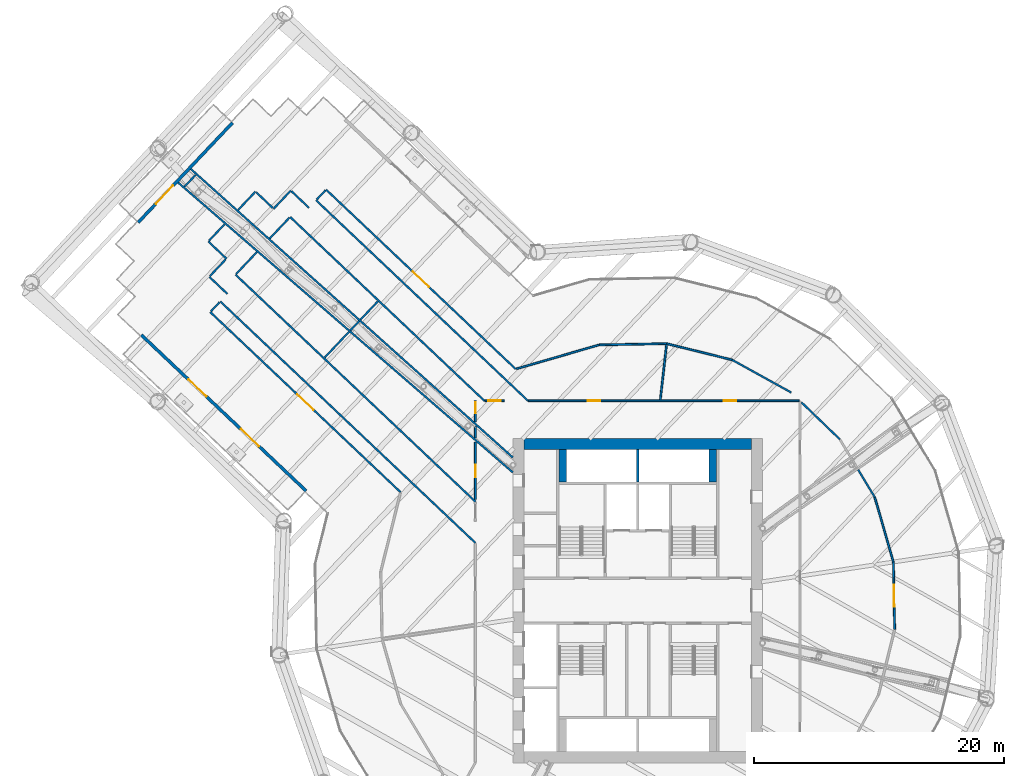
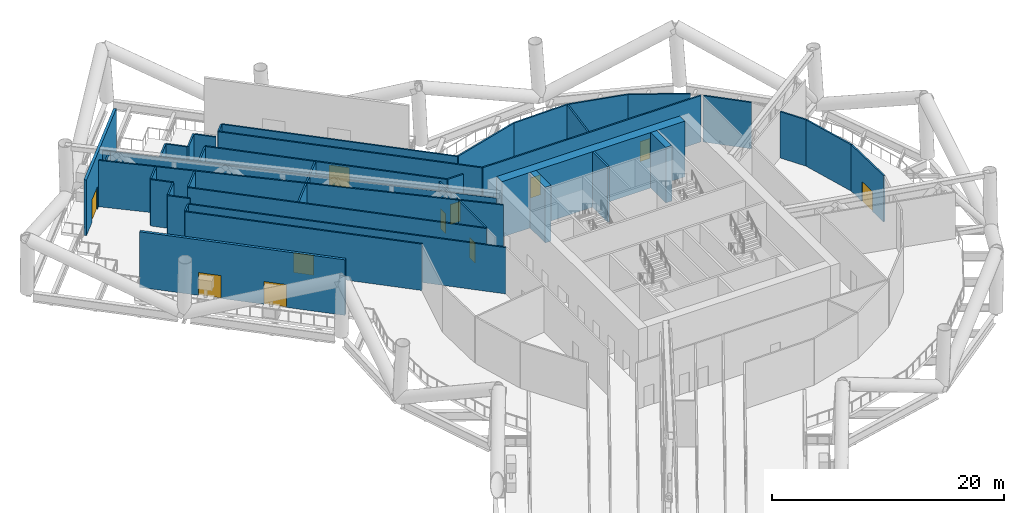
# One storey, part 16 of 39: 44 walls, 11 doors, 11 openings.
"""IFC4 building model written with IfcOpenShell, lengths in metres."""

from ifc_helpers import new_model, si_unit, direction, frame, frame_2d, origin, place, context, subcontext, project, spatial, rectangle, extrude, material, layer, layer_set, type_object, element, fill, save


model = new_model("IFC4")

# Units and contexts
model_context = context("Model", 3, precision=1e-05, world=origin(), true_north=direction((0.0, 1.0)))
body_context = subcontext(model_context, "Body", "Model", "MODEL_VIEW")
ifc_project = project(units=[si_unit("LENGTHUNIT", "METRE"), si_unit("AREAUNIT", "SQUARE_METRE"), si_unit("VOLUMEUNIT", "CUBIC_METRE"), si_unit("PLANEANGLEUNIT", "RADIAN"), si_unit("MASSUNIT", "GRAM", prefix="KILO")], contexts=[model_context])

# Site, building, storey
site_placement = place(None, origin())
site = spatial("IfcSite", under=ifc_project, at=site_placement, CompositionType="ELEMENT")
building_placement = place(site_placement, origin())
building = spatial("IfcBuilding", under=site, at=building_placement, Name="Tarsis Ring Headquarters", CompositionType="ELEMENT")
storey_placement = place(building_placement, frame((0.0, 0.0, 86.800048828125)))
storey = spatial("IfcBuildingStorey", under=building, at=storey_placement, Name="L19", CompositionType="ELEMENT", Elevation=86.800048828125)

# Walls
ifc_material_1 = material(Name="Concrete C60/75", Category="concrete")
ifc_layer_1 = layer(ifc_material_1, 0.89990234375)
ifc_layer_set_1 = layer_set([ifc_layer_1], Name="Core wall 900 C60/75")
wall_type_1 = type_object("IfcWallType", Name="Core wall 900 C60/75", PredefinedType="SHEAR", material=ifc_layer_set_1)
wall_1_placement = place(storey_placement, frame((-9.10009765625, 12.550048828125, 0.0), z_axis=(0.0, 0.0, 1.0), x_axis=(1.0, 0.0, 0.0)))
element("IfcWall", 1, at=wall_1_placement, inside=storey, type_object=wall_type_1, Name="Core wall ON", PredefinedType="SHEAR", context=body_context, shape_type="SweptSolid", body=[
    extrude(rectangle(XDim=18.2001953125, YDim=0.89990234375, at=frame_2d((9.10009765625, 0.0))), origin(), (0.0, 0.0, 1.0), 5.83984375),
])
ifc_material_2 = material(Name="Gypsum board on steel studs", Category="steel")
ifc_layer_2 = layer(ifc_material_2, 0.14990234375)
ifc_layer_set_2 = layer_set([ifc_layer_2], Name="FL partition 150 EI 120 H4870")
wall_type_2 = type_object("IfcWallType", Name="FL partition 150 EI 120 H4870", PredefinedType="PARTITIONING", material=ifc_layer_set_2)
wall_2_placement = place(storey_placement, frame((-36.961181640625, 33.61328125, 0.0), z_axis=(0.0, 0.0, 1.0), x_axis=(0.755896577688, -0.654691044569, 0.0)))
element("IfcWall", 2, at=wall_2_placement, inside=storey, type_object=wall_type_2, Name="Partition PW2H487", PredefinedType="PARTITIONING", context=body_context, shape_type="SweptSolid", body=[
    extrude(rectangle(XDim=35.671142578125, YDim=0.14990234375, at=frame_2d((17.83544921875, 0.0))), origin(), (0.0, 0.0, 1.0), 4.869873046875),
])
wall_3_placement = place(storey_placement, frame((-35.9384765625, 34.69384765625, 0.0), z_axis=(0.0, 0.0, 1.0), x_axis=(0.744817987278, -0.667267686785, 0.0)))
element("IfcWall", 3, at=wall_3_placement, inside=storey, type_object=wall_type_2, Name="Partition PW2H487", PredefinedType="PARTITIONING", context=body_context, shape_type="SweptSolid", body=[
    extrude(rectangle(XDim=34.824951171875, YDim=0.14990234375, at=frame_2d((17.41259765625, 0.0))), origin(), (0.0, 0.0, 1.0), 4.869873046875),
])
wall_4_placement = place(storey_placement, frame((-33.43359375, 23.956298828125, 0.0), z_axis=(0.0, 0.0, 1.0), x_axis=(0.726333629378, -0.687342315614, 0.0)))
element("IfcWall", 4, at=wall_4_placement, inside=storey, type_object=wall_type_2, Name="Partition PW2H487", PredefinedType="PARTITIONING", context=body_context, shape_type="SweptSolid", body=[
    extrude(rectangle(XDim=28.132568359375, YDim=0.14990234375, at=frame_2d((14.06640625, 0.0))), origin(), (0.0, 0.0, 1.0), 4.869873046875),
])
wall_5_placement = place(storey_placement, frame((-32.2109375, 26.103515625, 0.0), z_axis=(0.0, 0.0, 1.0), x_axis=(0.726337506456, -0.687338218576, 0.0)))
element("IfcWall", 5, at=wall_5_placement, inside=storey, type_object=wall_type_2, Name="Partition PW2H487", PredefinedType="PARTITIONING", context=body_context, shape_type="SweptSolid", body=[
    extrude(rectangle(XDim=26.448974609375, YDim=0.14990234375, at=frame_2d((13.224609375, 0.0))), origin(), (0.0, 0.0, 1.0), 4.869873046875),
])
wall_6_placement = place(storey_placement, frame((-25.7626953125, 32.06201171875, 0.0), z_axis=(0.0, 0.0, 1.0), x_axis=(0.726333076362, -0.687342900001, 0.0)))
element("IfcWall", 6, at=wall_6_placement, inside=storey, type_object=wall_type_2, Name="Partition PW2H487", PredefinedType="PARTITIONING", context=body_context, shape_type="SweptSolid", body=[
    extrude(rectangle(XDim=23.3681640625, YDim=0.14990234375, at=frame_2d((11.68408203125, 0.0))), origin(), (0.0, 0.0, 1.0), 4.869873046875),
])

# Wall, openings, doors
wall_7_placement = place(storey_placement, frame((-8.74951171875, 16.0, 0.0), z_axis=(0.0, 0.0, 1.0), x_axis=(1.0, 0.0, 0.0)))
wall_7 = element("IfcWall", 7, at=wall_7_placement, inside=storey, type_object=wall_type_2, Name="Partition PW2H487", PredefinedType="PARTITIONING", context=body_context, shape_type="SweptSolid", body=[
    extrude(rectangle(XDim=21.67822265625, YDim=0.14990234375, at=frame_2d((10.839111328125, 0.0))), origin(), (0.0, 0.0, 1.0), 4.869873046875),
])
opening_1_placement = place(wall_7_placement, frame((4.7548828125, 0.0, 0.0)))
opening_1 = element("IfcOpeningElement", 8, at=opening_1_placement, cuts=wall_7, Name="Opening D19.01", PredefinedType="OPENING", context=body_context, shape_type="SweptSolid", body=[
    extrude(rectangle(XDim=1.0, YDim=2.10009765625, at=frame_2d((0.5, 1.050048828125))), frame((0.0, 0.0849609375, 0.0), z_axis=(0.0, -1.0, 0.0), x_axis=(1.0, 0.0, 0.0)), (0.0, 0.0, 1.0), 0.169921875),
])
opening_2_placement = place(wall_7_placement, frame((15.638916015625, 0.0, 0.0)))
opening_2 = element("IfcOpeningElement", 9, at=opening_2_placement, cuts=wall_7, Name="Opening D19.02", PredefinedType="OPENING", context=body_context, shape_type="SweptSolid", body=[
    extrude(rectangle(XDim=1.0, YDim=2.10009765625, at=frame_2d((0.5, 1.050048828125))), frame((0.0, 0.0849609375, 0.0), z_axis=(0.0, -1.0, 0.0), x_axis=(1.0, 0.0, 0.0)), (0.0, 0.0, 1.0), 0.169921875),
])
ifc_material_3 = material(Name="Fire-rated timber door leaf in steel frame", Category="steel")
door_type_1 = type_object("IfcDoorType", Name="FL door FD120-1000", OperationType="NOTDEFINED", PredefinedType="DOOR", material=ifc_material_3)
door_1_placement = place(opening_1_placement, origin())
door_1 = element("IfcDoor", 10, at=door_1_placement, inside=storey, type_object=door_type_1, Name="Door D19.01", OperationType="SINGLE_SWING_RIGHT", OverallHeight=2.10009765625, OverallWidth=1.0, PredefinedType="DOOR", context=body_context, shape_type="SweptSolid", body=[
    extrude(rectangle(XDim=1.0, YDim=2.10009765625, at=frame_2d((0.5, 1.050048828125))), frame((0.0, 0.02490234375, 0.0), z_axis=(0.0, -1.0, 0.0), x_axis=(1.0, 0.0, 0.0)), (0.0, 0.0, 1.0), 0.050048828125),
])
fill(opening_1, door_1)
door_2_placement = place(opening_2_placement, origin())
door_2 = element("IfcDoor", 11, at=door_2_placement, inside=storey, type_object=door_type_1, Name="Door D19.02", OperationType="SINGLE_SWING_LEFT", OverallHeight=2.10009765625, OverallWidth=1.0, PredefinedType="DOOR", context=body_context, shape_type="SweptSolid", body=[
    extrude(rectangle(XDim=1.0, YDim=2.10009765625, at=frame_2d((0.5, 1.050048828125))), frame((0.0, 0.02490234375, 0.0), z_axis=(0.0, -1.0, 0.0), x_axis=(1.0, 0.0, 0.0)), (0.0, 0.0, 1.0), 0.050048828125),
])
fill(opening_2, door_2)

# Wall
wall_8_placement = place(storey_placement, frame((-27.83935546875, 30.722900390625, 0.0), z_axis=(0.0, 0.0, 1.0), x_axis=(0.726333840001, -0.687342093043, 0.0)))
element("IfcWall", 12, at=wall_8_placement, inside=storey, type_object=wall_type_2, Name="Partition PW2H487", PredefinedType="PARTITIONING", context=body_context, shape_type="SweptSolid", body=[
    extrude(rectangle(XDim=21.420166015625, YDim=0.14990234375, at=frame_2d((10.7099609375, 0.0))), origin(), (0.0, 0.0, 1.0), 4.869873046875),
])

# Wall, opening, door
wall_9_placement = place(storey_placement, frame((-34.23779296875, 23.1064453125, 0.0), z_axis=(0.0, 0.0, 1.0), x_axis=(0.726337792573, -0.687337916224, 0.0)))
wall_9 = element("IfcWall", 13, at=wall_9_placement, inside=storey, type_object=wall_type_2, Name="Partition PW2H487", PredefinedType="PARTITIONING", context=body_context, shape_type="SweptSolid", body=[
    extrude(rectangle(XDim=20.983642578125, YDim=0.14990234375, at=frame_2d((10.49169921875, 0.0))), origin(), (0.0, 0.0, 1.0), 4.869873046875),
])
opening_3_placement = place(wall_9_placement, frame((9.591552734375, 0.0, 0.0)))
opening_3 = element("IfcOpeningElement", 14, at=opening_3_placement, cuts=wall_9, Name="Opening D19.20", PredefinedType="OPENING", context=body_context, shape_type="SweptSolid", body=[
    extrude(rectangle(XDim=1.800048828125, YDim=2.10009765625, at=frame_2d((0.89990234375, 1.050048828125))), frame((0.0, 0.0849609375, 0.0), z_axis=(0.0, -1.0, 0.0), x_axis=(1.0, 0.0, 0.0)), (0.0, 0.0, 1.0), 0.169921875),
])
door_type_2 = type_object("IfcDoorType", Name="FL door FD120-1800", OperationType="DOUBLE_DOOR_SINGLE_SWING", PredefinedType="DOOR", material=ifc_material_3)
door_3_placement = place(opening_3_placement, origin())
door_3 = element("IfcDoor", 15, at=door_3_placement, inside=storey, type_object=door_type_2, Name="Door D19.20", OperationType="DOUBLE_DOOR_SINGLE_SWING", OverallHeight=2.10009765625, OverallWidth=1.800048828125, PredefinedType="DOOR", context=body_context, shape_type="SweptSolid", body=[
    extrude(rectangle(XDim=1.800048828125, YDim=2.10009765625, at=frame_2d((0.89990234375, 1.050048828125))), frame((0.0, 0.02490234375, 0.0), z_axis=(0.0, -1.0, 0.0), x_axis=(1.0, 0.0, 0.0)), (0.0, 0.0, 1.0), 0.050048828125),
])
fill(opening_3, door_3)

wall_10_placement = place(storey_placement, frame((-24.95849609375, 32.911865234375, 0.0), z_axis=(0.0, 0.0, 1.0), x_axis=(0.726332551962, -0.687343454148, 0.0)))
wall_10 = element("IfcWall", 16, at=wall_10_placement, inside=storey, type_object=wall_type_2, Name="Partition PW2H487", PredefinedType="PARTITIONING", context=body_context, shape_type="SweptSolid", body=[
    extrude(rectangle(XDim=20.90185546875, YDim=0.14990234375, at=frame_2d((10.450927734375, 0.0))), origin(), (0.0, 0.0, 1.0), 4.869873046875),
])
opening_4_placement = place(wall_10_placement, frame((9.55078125, 0.0, 0.0)))
opening_4 = element("IfcOpeningElement", 17, at=opening_4_placement, cuts=wall_10, Name="Opening D19.19", PredefinedType="OPENING", context=body_context, shape_type="SweptSolid", body=[
    extrude(rectangle(XDim=1.800048828125, YDim=2.10009765625, at=frame_2d((0.89990234375, 1.050048828125))), frame((0.0, 0.0849609375, 0.0), z_axis=(0.0, -1.0, 0.0), x_axis=(1.0, 0.0, 0.0)), (0.0, 0.0, 1.0), 0.169921875),
])
door_4_placement = place(opening_4_placement, origin())
door_4 = element("IfcDoor", 18, at=door_4_placement, inside=storey, type_object=door_type_2, Name="Door D19.19", OperationType="DOUBLE_DOOR_SINGLE_SWING", OverallHeight=2.10009765625, OverallWidth=1.800048828125, PredefinedType="DOOR", context=body_context, shape_type="SweptSolid", body=[
    extrude(rectangle(XDim=1.800048828125, YDim=2.10009765625, at=frame_2d((0.89990234375, 1.050048828125))), frame((0.0, 0.02490234375, 0.0), z_axis=(0.0, -1.0, 0.0), x_axis=(1.0, 0.0, 0.0)), (0.0, 0.0, 1.0), 0.050048828125),
])
fill(opening_4, door_4)

wall_11_placement = place(storey_placement, frame((-13.0, 8.09814453125, 0.0), z_axis=(0.0, 0.0, 1.0), x_axis=(0.0, 1.0, 0.0)))
wall_11 = element("IfcWall", 19, at=wall_11_placement, inside=storey, type_object=wall_type_2, Name="Partition PW2H487", PredefinedType="PARTITIONING", context=body_context, shape_type="SweptSolid", body=[
    extrude(rectangle(XDim=4.597900390625, YDim=0.14990234375, at=frame_2d((2.298828125, 0.0))), origin(), (0.0, 0.0, 1.0), 4.869873046875),
])
opening_5_placement = place(wall_11_placement, frame((1.79150390625, 0.0, 0.0)))
opening_5 = element("IfcOpeningElement", 20, at=opening_5_placement, cuts=wall_11, Name="Opening D19.04", PredefinedType="OPENING", context=body_context, shape_type="SweptSolid", body=[
    extrude(rectangle(XDim=1.0, YDim=2.10009765625, at=frame_2d((0.5, 1.050048828125))), frame((0.0, 0.0849609375, 0.0), z_axis=(0.0, -1.0, 0.0), x_axis=(1.0, 0.0, 0.0)), (0.0, 0.0, 1.0), 0.169921875),
])
door_5_placement = place(opening_5_placement, origin())
door_5 = element("IfcDoor", 21, at=door_5_placement, inside=storey, type_object=door_type_1, Name="Door D19.04", OperationType="SINGLE_SWING_LEFT", OverallHeight=2.10009765625, OverallWidth=1.0, PredefinedType="DOOR", context=body_context, shape_type="SweptSolid", body=[
    extrude(rectangle(XDim=1.0, YDim=2.10009765625, at=frame_2d((0.5, 1.050048828125))), frame((0.0, 0.02490234375, 0.0), z_axis=(0.0, -1.0, 0.0), x_axis=(1.0, 0.0, 0.0)), (0.0, 0.0, 1.0), 0.050048828125),
])
fill(opening_5, door_5)

# Wall
wall_12_placement = place(storey_placement, frame((-13.0, 13.0244140625, 0.0), z_axis=(0.0, 0.0, 1.0), x_axis=(0.0, 1.0, 0.0)))
element("IfcWall", 22, at=wall_12_placement, inside=storey, type_object=wall_type_2, Name="Partition PW2H487", PredefinedType="PARTITIONING", context=body_context, shape_type="SweptSolid", body=[
    extrude(rectangle(XDim=0.951416015625, YDim=0.14990234375, at=frame_2d((0.4755859375, 0.0))), origin(), (0.0, 0.0, 1.0), 4.869873046875),
])

# Wall, opening, door
wall_13_placement = place(storey_placement, frame((-13.0, 14.3115234375, 0.0), z_axis=(0.0, 0.0, 1.0), x_axis=(0.0, 1.0, 0.0)))
wall_13 = element("IfcWall", 23, at=wall_13_placement, inside=storey, type_object=wall_type_2, Name="Partition PW2H487", PredefinedType="PARTITIONING", context=body_context, shape_type="SweptSolid", body=[
    extrude(rectangle(XDim=1.6875, YDim=0.14990234375, at=frame_2d((0.84375, 0.0))), origin(), (0.0, 0.0, 1.0), 4.869873046875),
])
opening_6_placement = place(wall_13_placement, frame((0.6875, 0.0, 0.0)))
opening_6 = element("IfcOpeningElement", 24, at=opening_6_placement, cuts=wall_13, Name="Opening D19.03", PredefinedType="OPENING", context=body_context, shape_type="SweptSolid", body=[
    extrude(rectangle(XDim=0.89990234375, YDim=2.10009765625, at=frame_2d((0.449951171875, 1.050048828125))), frame((0.0, 0.0849609375, 0.0), z_axis=(0.0, -1.0, 0.0), x_axis=(1.0, 0.0, 0.0)), (0.0, 0.0, 1.0), 0.169921875),
])
door_type_3 = type_object("IfcDoorType", Name="FL door FD120-900", OperationType="NOTDEFINED", PredefinedType="DOOR", material=ifc_material_3)
door_6_placement = place(opening_6_placement, origin())
door_6 = element("IfcDoor", 25, at=door_6_placement, inside=storey, type_object=door_type_3, Name="Door D19.03", OperationType="SINGLE_SWING_RIGHT", OverallHeight=2.10009765625, OverallWidth=0.89990234375, PredefinedType="DOOR", context=body_context, shape_type="SweptSolid", body=[
    extrude(rectangle(XDim=0.89990234375, YDim=2.10009765625, at=frame_2d((0.449951171875, 1.050048828125))), frame((0.0, 0.02490234375, 0.0), z_axis=(0.0, -1.0, 0.0), x_axis=(1.0, 0.0, 0.0)), (0.0, 0.0, 1.0), 0.050048828125),
])
fill(opening_6, door_6)

# Walls
wall_14_placement = place(storey_placement, frame((-9.7197265625, 18.564208984375, 0.0), z_axis=(0.0, 0.0, 1.0), x_axis=(0.960877751628, 0.27697282615, 0.0)))
element("IfcWall", 26, at=wall_14_placement, inside=storey, type_object=wall_type_2, Name="Partition PW2H487", PredefinedType="PARTITIONING", context=body_context, shape_type="SweptSolid", body=[
    extrude(rectangle(XDim=6.900146484375, YDim=0.14990234375, at=frame_2d((3.4501953125, 0.0))), origin(), (0.0, 0.0, 1.0), 4.869873046875),
])
wall_15_placement = place(storey_placement, frame((-25.07568359375, 19.46142578125, 0.0), z_axis=(0.0, 0.0, 1.0), x_axis=(0.687327340777, 0.726347800038, 0.0)))
element("IfcWall", 27, at=wall_15_placement, inside=storey, type_object=wall_type_2, Name="Partition PW2H487", PredefinedType="PARTITIONING", context=body_context, shape_type="SweptSolid", body=[
    extrude(rectangle(XDim=2.840576171875, YDim=0.14990234375, at=frame_2d((1.42041015625, 0.0))), origin(), (0.0, 0.0, 1.0), 4.869873046875),
])
wall_16_placement = place(storey_placement, frame((-23.015625, 21.638427734375, 0.0), z_axis=(0.0, 0.0, 1.0), x_axis=(0.687414012151, 0.726265774974, 0.0)))
element("IfcWall", 28, at=wall_16_placement, inside=storey, type_object=wall_type_2, Name="Partition PW2H487", PredefinedType="PARTITIONING", context=body_context, shape_type="SweptSolid", body=[
    extrude(rectangle(XDim=1.024169921875, YDim=0.14990234375, at=frame_2d((0.51220703125, 0.0))), origin(), (0.0, 0.0, 1.0), 4.869873046875),
])
wall_17_placement = place(storey_placement, frame((-22.205810546875, 22.494384765625, 0.0), z_axis=(0.0, 0.0, 1.0), x_axis=(0.687423448499, 0.726256843309, 0.0)))
element("IfcWall", 29, at=wall_17_placement, inside=storey, type_object=wall_type_2, Name="Partition PW2H487", PredefinedType="PARTITIONING", context=body_context, shape_type="SweptSolid", body=[
    extrude(rectangle(XDim=2.0244140625, YDim=0.14990234375, at=frame_2d((1.01220703125, 0.0))), origin(), (0.0, 0.0, 1.0), 4.869873046875),
])
wall_18_placement = place(storey_placement, frame((2.315673828125, 20.5771484375, 0.0), z_axis=(0.0, 0.0, 1.0), x_axis=(0.970642596688, -0.240526400827, 0.0)))
element("IfcWall", 30, at=wall_18_placement, inside=storey, type_object=wall_type_2, Name="Partition PW2H487", PredefinedType="PARTITIONING", context=body_context, shape_type="SweptSolid", body=[
    extrude(rectangle(XDim=5.405029296875, YDim=0.14990234375, at=frame_2d((2.70263671875, 0.0))), origin(), (0.0, 0.0, 1.0), 4.869873046875),
])
wall_19_placement = place(storey_placement, frame((7.5712890625, 19.27197265625, 0.0), z_axis=(0.0, 0.0, 1.0), x_axis=(0.875290430872, -0.483597623674, 0.0)))
element("IfcWall", 31, at=wall_19_placement, inside=storey, type_object=wall_type_2, Name="Partition PW2H487", PredefinedType="PARTITIONING", context=body_context, shape_type="SweptSolid", body=[
    extrude(rectangle(XDim=5.395263671875, YDim=0.14990234375, at=frame_2d((2.69775390625, 0.0))), origin(), (0.0, 0.0, 1.0), 4.869873046875),
])
wall_20_placement = place(storey_placement, frame((13.115234375, 15.871826171875, 0.0), z_axis=(0.0, 0.0, 1.0), x_axis=(0.720290552325, -0.693672487728, 0.0)))
element("IfcWall", 32, at=wall_20_placement, inside=storey, type_object=wall_type_2, Name="Partition PW2H487", PredefinedType="PARTITIONING", context=body_context, shape_type="SweptSolid", body=[
    extrude(rectangle(XDim=4.264892578125, YDim=0.14990234375, at=frame_2d((2.13232421875, 0.0))), origin(), (0.0, 0.0, 1.0), 4.869873046875),
])

# Wall, opening, door
wall_21_placement = place(storey_placement, frame((20.475341796875, 3.089111328125, 0.0), z_axis=(0.0, 0.0, 1.0), x_axis=(0.018880753939, -0.999821742678, 0.0)))
wall_21 = element("IfcWall", 33, at=wall_21_placement, inside=storey, type_object=wall_type_2, Name="Partition PW2H487", PredefinedType="PARTITIONING", context=body_context, shape_type="SweptSolid", body=[
    extrude(rectangle(XDim=5.405029296875, YDim=0.14990234375, at=frame_2d((2.70263671875, 0.0))), origin(), (0.0, 0.0, 1.0), 4.869873046875),
])
opening_7_placement = place(wall_21_placement, frame((1.802490234375, 0.0, 0.0)))
opening_7 = element("IfcOpeningElement", 34, at=opening_7_placement, cuts=wall_21, Name="Opening D19.17", PredefinedType="OPENING", context=body_context, shape_type="SweptSolid", body=[
    extrude(rectangle(XDim=1.800048828125, YDim=2.10009765625, at=frame_2d((0.89990234375, 1.050048828125))), frame((0.0, 0.0849609375, 0.0), z_axis=(0.0, -1.0, 0.0), x_axis=(1.0, 0.0, 0.0)), (0.0, 0.0, 1.0), 0.169921875),
])
door_7_placement = place(opening_7_placement, origin())
door_7 = element("IfcDoor", 35, at=door_7_placement, inside=storey, type_object=door_type_2, Name="Door D19.17", OperationType="DOUBLE_DOOR_SINGLE_SWING", OverallHeight=2.10009765625, OverallWidth=1.800048828125, PredefinedType="DOOR", context=body_context, shape_type="SweptSolid", body=[
    extrude(rectangle(XDim=1.800048828125, YDim=2.10009765625, at=frame_2d((0.89990234375, 1.050048828125))), frame((0.0, 0.02490234375, 0.0), z_axis=(0.0, -1.0, 0.0), x_axis=(1.0, 0.0, 0.0)), (0.0, 0.0, 1.0), 0.050048828125),
])
fill(opening_7, door_7)

# Walls
wall_22_placement = place(storey_placement, frame((17.655517578125, 10.4775390625, 0.0), z_axis=(0.0, 0.0, 1.0), x_axis=(0.516274633666, -0.856423086233, 0.0)))
element("IfcWall", 36, at=wall_22_placement, inside=storey, type_object=wall_type_2, Name="Partition PW2H487", PredefinedType="PARTITIONING", context=body_context, shape_type="SweptSolid", body=[
    extrude(rectangle(XDim=2.5615234375, YDim=0.14990234375, at=frame_2d((1.28076171875, 0.0))), origin(), (0.0, 0.0, 1.0), 4.869873046875),
])
for number, where, z_axis, x_axis, name in (
    (37, (18.98095703125, 8.2734375, 0.0), (0.0, 0.0, 1.0), (0.276965860632, -0.96087975941, 0.0), "Partition PW2H487"),
    (38, (-3.0791015625, 20.4755859375, 0.0), (0.0, 0.0, 1.0), (0.999822128886, 0.018860291372, 0.0), "Partition PW2H487"),
):
    element("IfcWall", number, at=place(storey_placement, frame(where, z_axis=z_axis, x_axis=x_axis)), inside=storey, type_object=wall_type_2, Name=name, PredefinedType="PARTITIONING", context=body_context, shape_type="SweptSolid", body=[
        extrude(rectangle(XDim=5.385009765625, YDim=0.14990234375, at=frame_2d((2.6923828125, 0.0))), origin(), (0.0, 0.0, 1.0), 4.869873046875),
    ])
wall_23_placement = place(storey_placement, frame((1.809326171875, 16.07958984375, 0.0), z_axis=(0.0, 0.0, 1.0), x_axis=(0.111806302249, 0.993730019058, 0.0)))
element("IfcWall", 39, at=wall_23_placement, inside=storey, type_object=wall_type_2, Name="Partition PW2H487", PredefinedType="PARTITIONING", context=body_context, shape_type="SweptSolid", body=[
    extrude(rectangle(XDim=4.443603515625, YDim=0.14990234375, at=frame_2d((2.2216796875, 0.0))), origin(), (0.0, 0.0, 1.0), 4.869873046875),
])
wall_24_placement = place(storey_placement, frame((-32.156005859375, 26.16455078125, 0.0), z_axis=(0.0, 0.0, 1.0), x_axis=(0.687383867838, 0.726294305524, 0.0)))
element("IfcWall", 40, at=wall_24_placement, inside=storey, type_object=wall_type_2, Name="Partition PW2H487", PredefinedType="PARTITIONING", context=body_context, shape_type="SweptSolid", body=[
    extrude(rectangle(XDim=2.403076171875, YDim=0.14990234375, at=frame_2d((1.20166015625, 0.0))), origin(), (0.0, 0.0, 1.0), 4.869873046875),
])
wall_25_placement = place(storey_placement, frame((-29.468017578125, 29.0048828125, 0.0), z_axis=(0.0, 0.0, 1.0), x_axis=(0.687341552676, 0.726334351359, 0.0)))
element("IfcWall", 41, at=wall_25_placement, inside=storey, type_object=wall_type_2, Name="Partition PW2H487", PredefinedType="PARTITIONING", context=body_context, shape_type="SweptSolid", body=[
    extrude(rectangle(XDim=2.285400390625, YDim=0.14990234375, at=frame_2d((1.142578125, 0.0))), origin(), (0.0, 0.0, 1.0), 4.869873046875),
])

# Wall, opening, door
wall_26_placement = place(storey_placement, frame((-12.239013671875, 16.0, 0.0), z_axis=(0.0, 0.0, 1.0), x_axis=(1.0, 0.0, 0.0)))
wall_26 = element("IfcWall", 42, at=wall_26_placement, inside=storey, type_object=wall_type_2, Name="Partition PW2H487", PredefinedType="PARTITIONING", context=body_context, shape_type="SweptSolid", body=[
    extrude(rectangle(XDim=1.555419921875, YDim=0.14990234375, at=frame_2d((0.77783203125, 0.0))), origin(), (0.0, 0.0, 1.0), 4.869873046875),
])
opening_8_placement = place(wall_26_placement, frame((0.256591796875, 0.0, 0.0)))
opening_8 = element("IfcOpeningElement", 43, at=opening_8_placement, cuts=wall_26, Name="Opening D19.15", PredefinedType="OPENING", context=body_context, shape_type="SweptSolid", body=[
    extrude(rectangle(XDim=1.0, YDim=2.10009765625, at=frame_2d((0.5, 1.050048828125))), frame((0.0, 0.0849609375, 0.0), z_axis=(0.0, -1.0, 0.0), x_axis=(1.0, 0.0, 0.0)), (0.0, 0.0, 1.0), 0.169921875),
])
door_8_placement = place(opening_8_placement, origin())
door_8 = element("IfcDoor", 44, at=door_8_placement, inside=storey, type_object=door_type_1, Name="Door D19.15", OperationType="SINGLE_SWING_RIGHT", OverallHeight=2.10009765625, OverallWidth=1.0, PredefinedType="DOOR", context=body_context, shape_type="SweptSolid", body=[
    extrude(rectangle(XDim=1.0, YDim=2.10009765625, at=frame_2d((0.5, 1.050048828125))), frame((0.0, 0.02490234375, 0.0), z_axis=(0.0, -1.0, 0.0), x_axis=(1.0, 0.0, 0.0)), (0.0, 0.0, 1.0), 0.050048828125),
])
fill(opening_8, door_8)

# Walls
wall_27_placement = place(storey_placement, frame((-32.0087890625, 31.281005859375, 0.0), z_axis=(0.0, 0.0, 1.0), x_axis=(0.687277107381, 0.726395331531, 0.0)))
element("IfcWall", 45, at=wall_27_placement, inside=storey, type_object=wall_type_2, Name="Partition PW2H487", PredefinedType="PARTITIONING", context=body_context, shape_type="SweptSolid", body=[
    extrude(rectangle(XDim=2.0283203125, YDim=0.14990234375, at=frame_2d((1.01416015625, 0.0))), origin(), (0.0, 0.0, 1.0), 4.869873046875),
])
for number, where, z_axis, x_axis, name in (
    (46, (-34.1826171875, 23.16455078125, 0.0), (0.0, 0.0, 1.0), (0.6872550206, 0.726416228246, 0.0), "Partition PW2H487"),
    (47, (-25.707763671875, 32.1201171875, 0.0), (0.0, 0.0, 1.0), (0.6872550206, 0.726416228246, 0.0), "Partition PW2H487"),
):
    element("IfcWall", number, at=place(storey_placement, frame(where, z_axis=z_axis, x_axis=x_axis)), inside=storey, type_object=wall_type_2, Name=name, PredefinedType="PARTITIONING", context=body_context, shape_type="SweptSolid", body=[
        extrude(rectangle(XDim=1.010009765625, YDim=0.14990234375, at=frame_2d((0.5048828125, 0.0))), origin(), (0.0, 0.0, 1.0), 4.869873046875),
    ])
for number, where, z_axis, x_axis, name in (
    (48, (-34.3935546875, 28.760986328125, 0.0), (0.0, 0.0, 1.0), (0.726311902972, -0.687365273782, 0.0), "Partition PW2H487"),
    (49, (-34.315673828125, 25.93359375, 0.0), (0.0, 0.0, 1.0), (0.726369579167, -0.687304324489, 0.0), "Partition PW2H487"),
):
    element("IfcWall", number, at=place(storey_placement, frame(where, z_axis=z_axis, x_axis=x_axis)), inside=storey, type_object=wall_type_2, Name=name, PredefinedType="PARTITIONING", context=body_context, shape_type="SweptSolid", body=[
        extrude(rectangle(XDim=1.999755859375, YDim=0.14990234375, at=frame_2d((1.0, 0.0))), origin(), (0.0, 0.0, 1.0), 4.869873046875),
    ])
wall_28_placement = place(storey_placement, frame((-29.16064453125, 31.38134765625, 0.0), z_axis=(0.0, 0.0, 1.0), x_axis=(0.68736872678, 0.726308635117, 0.0)))
element("IfcWall", 50, at=wall_28_placement, inside=storey, type_object=wall_type_2, Name="Partition PW2H487", PredefinedType="PARTITIONING", context=body_context, shape_type="SweptSolid", body=[
    extrude(rectangle(XDim=2.0, YDim=0.14990234375, at=frame_2d((1.0, 0.0))), origin(), (0.0, 0.0, 1.0), 4.869873046875),
])
wall_29_placement = place(storey_placement, frame((-27.727783203125, 32.77880859375, 0.0), z_axis=(0.0, 0.0, 1.0), x_axis=(0.726356882117, -0.68731774297, 0.0)))
element("IfcWall", 51, at=wall_29_placement, inside=storey, type_object=wall_type_2, Name="Partition PW2H487", PredefinedType="PARTITIONING", context=body_context, shape_type="SweptSolid", body=[
    extrude(rectangle(XDim=1.919921875, YDim=0.14990234375, at=frame_2d((0.9599609375, 0.0))), origin(), (0.0, 0.0, 1.0), 4.869873046875),
])
wall_30_placement = place(storey_placement, frame((-34.260498046875, 25.991943359375, 0.0), z_axis=(0.0, 0.0, 1.0), x_axis=(0.68726231426, 0.72640932772, 0.0)))
element("IfcWall", 52, at=wall_30_placement, inside=storey, type_object=wall_type_2, Name="Partition PW2H487", PredefinedType="PARTITIONING", context=body_context, shape_type="SweptSolid", body=[
    extrude(rectangle(XDim=1.83984375, YDim=0.14990234375, at=frame_2d((0.919921875, 0.0))), origin(), (0.0, 0.0, 1.0), 4.869873046875),
])
wall_31_placement = place(storey_placement, frame((-30.5537109375, 32.69970703125, 0.0), z_axis=(0.0, 0.0, 1.0), x_axis=(0.726298136433, -0.687379820051, 0.0)))
element("IfcWall", 53, at=wall_31_placement, inside=storey, type_object=wall_type_2, Name="Partition PW2H487", PredefinedType="PARTITIONING", context=body_context, shape_type="SweptSolid", body=[
    extrude(rectangle(XDim=1.838134765625, YDim=0.14990234375, at=frame_2d((0.9189453125, 0.0))), origin(), (0.0, 0.0, 1.0), 4.869873046875),
])
wall_32_placement = place(storey_placement, frame((-34.338623046875, 28.8193359375, 0.0), z_axis=(0.0, 0.0, 1.0), x_axis=(0.687373483057, 0.72630413381, 0.0)))
element("IfcWall", 54, at=wall_32_placement, inside=storey, type_object=wall_type_2, Name="Partition PW2H487", PredefinedType="PARTITIONING", context=body_context, shape_type="SweptSolid", body=[
    extrude(rectangle(XDim=1.824951171875, YDim=0.14990234375, at=frame_2d((0.91259765625, 0.0))), origin(), (0.0, 0.0, 1.0), 4.869873046875),
])
wall_33_placement = place(storey_placement, frame((-36.303466796875, 33.144287109375, 0.0), z_axis=(0.0, 0.0, 1.0), x_axis=(0.687297591034, 0.726375950427, 0.0)))
element("IfcWall", 55, at=wall_33_placement, inside=storey, type_object=wall_type_2, Name="Partition PW2H487", PredefinedType="PARTITIONING", context=body_context, shape_type="SweptSolid", body=[
    extrude(rectangle(XDim=1.318115234375, YDim=0.14990234375, at=frame_2d((0.6591796875, 0.0))), origin(), (0.0, 0.0, 1.0), 4.869873046875),
])

# Wall, openings, doors
ifc_material_4 = material(Name="Terracotta clad insulated panel wall", Category="masonry")
ifc_layer_3 = layer(ifc_material_4, 0.25)
ifc_layer_set_3 = layer_set([ifc_layer_3], Name="Facade wall terracotta panel 250")
wall_type_3 = type_object("IfcWallType", Name="Facade wall terracotta panel 250", PredefinedType="STANDARD", material=ifc_layer_set_3)
wall_34_placement = place(storey_placement, frame((-39.7578125, 21.274169921875, 0.0), z_axis=(0.0, 0.0, 1.0), x_axis=(0.726332085354, -0.687343947224, 0.0)))
wall_34 = element("IfcWall", 56, at=wall_34_placement, inside=storey, type_object=wall_type_3, Name="External wall L19-01", PredefinedType="STANDARD", context=body_context, shape_type="SweptSolid", body=[
    extrude(rectangle(XDim=18.172119140625, YDim=0.25, at=frame_2d((9.0859375, 0.0))), origin(), (0.0, 0.0, 1.0), 5.83984375),
])
opening_9_placement = place(wall_34_placement, frame((5.189453125, 0.0, 0.0)))
opening_9 = element("IfcOpeningElement", 57, at=opening_9_placement, cuts=wall_34, Name="Opening L19-BD01", PredefinedType="OPENING", context=body_context, shape_type="SweptSolid", body=[
    extrude(rectangle(XDim=2.0, YDim=2.39990234375, at=frame_2d((1.0, 1.199951171875))), frame((0.0, 0.135009765625, 0.0), z_axis=(0.0, -1.0, 0.0), x_axis=(1.0, 0.0, 0.0)), (0.0, 0.0, 1.0), 0.27001953125),
])
opening_10_placement = place(wall_34_placement, frame((10.982421875, 0.0, 0.0)))
opening_10 = element("IfcOpeningElement", 58, at=opening_10_placement, cuts=wall_34, Name="Opening L19-BD02", PredefinedType="OPENING", context=body_context, shape_type="SweptSolid", body=[
    extrude(rectangle(XDim=2.0, YDim=2.39990234375, at=frame_2d((1.0, 1.199951171875))), frame((0.0, 0.135009765625, 0.0), z_axis=(0.0, -1.0, 0.0), x_axis=(1.0, 0.0, 0.0)), (0.0, 0.0, 1.0), 0.27001953125),
])
ifc_material_5 = material(Name="Aluminium framed double glazing", Category="aluminium")
door_type_4 = type_object("IfcDoorType", Name="Balcony sliding door 2000 x 2400", OperationType="SLIDING_TO_LEFT", PredefinedType="DOOR", material=ifc_material_5)
door_9_placement = place(opening_9_placement, origin())
door_9 = element("IfcDoor", 59, at=door_9_placement, inside=storey, type_object=door_type_4, Name="Door L19-BD01", OperationType="SINGLE_SWING_LEFT", OverallHeight=2.39990234375, OverallWidth=2.0, PredefinedType="DOOR", context=body_context, shape_type="SweptSolid", body=[
    extrude(rectangle(XDim=2.0, YDim=2.39990234375, at=frame_2d((1.0, 1.199951171875))), frame((0.0, 0.02490234375, 0.0), z_axis=(0.0, -1.0, 0.0), x_axis=(1.0, 0.0, 0.0)), (0.0, 0.0, 1.0), 0.050048828125),
])
fill(opening_9, door_9)
door_10_placement = place(opening_10_placement, origin())
door_10 = element("IfcDoor", 60, at=door_10_placement, inside=storey, type_object=door_type_4, Name="Door L19-BD02", OperationType="SINGLE_SWING_LEFT", OverallHeight=2.39990234375, OverallWidth=2.0, PredefinedType="DOOR", context=body_context, shape_type="SweptSolid", body=[
    extrude(rectangle(XDim=2.0, YDim=2.39990234375, at=frame_2d((1.0, 1.199951171875))), frame((0.0, 0.02490234375, 0.0), z_axis=(0.0, -1.0, 0.0), x_axis=(1.0, 0.0, 0.0)), (0.0, 0.0, 1.0), 0.050048828125),
])
fill(opening_10, door_10)

# Wall, opening, door
wall_35_placement = place(storey_placement, frame((-32.445556640625, 38.27587890625, 0.0), z_axis=(0.0, 0.0, 1.0), x_axis=(-0.687351164126, -0.726325255773, 0.0)))
wall_35 = element("IfcWall", 61, at=wall_35_placement, inside=storey, type_object=wall_type_3, Name="External wall L19-06", PredefinedType="STANDARD", context=body_context, shape_type="SweptSolid", body=[
    extrude(rectangle(XDim=11.0, YDim=0.25, at=frame_2d((5.5, 0.0))), origin(), (0.0, 0.0, 1.0), 5.83984375),
])
opening_11_placement = place(wall_35_placement, frame((6.949951171875, 0.0, 0.0)))
opening_11 = element("IfcOpeningElement", 62, at=opening_11_placement, cuts=wall_35, Name="Opening L19-BD10", PredefinedType="OPENING", context=body_context, shape_type="SweptSolid", body=[
    extrude(rectangle(XDim=2.0, YDim=2.39990234375, at=frame_2d((1.0, 1.199951171875))), frame((0.0, 0.135009765625, 0.0), z_axis=(0.0, -1.0, 0.0), x_axis=(1.0, 0.0, 0.0)), (0.0, 0.0, 1.0), 0.27001953125),
])
door_11_placement = place(opening_11_placement, origin())
door_11 = element("IfcDoor", 63, at=door_11_placement, inside=storey, type_object=door_type_4, Name="Door L19-BD10", OperationType="SINGLE_SWING_LEFT", OverallHeight=2.39990234375, OverallWidth=2.0, PredefinedType="DOOR", context=body_context, shape_type="SweptSolid", body=[
    extrude(rectangle(XDim=2.0, YDim=2.39990234375, at=frame_2d((1.0, 1.199951171875))), frame((0.0, 0.02490234375, 0.0), z_axis=(0.0, -1.0, 0.0), x_axis=(1.0, 0.0, 0.0)), (0.0, 0.0, 1.0), 0.050048828125),
])
fill(opening_11, door_11)

# Walls
ifc_material_6 = material(Name="Concrete C32/40", Category="concrete")
ifc_layer_4 = layer(ifc_material_6, 0.60009765625)
ifc_layer_set_4 = layer_set([ifc_layer_4], Name="Shaft end wall 600 C32/40")
wall_type_4 = type_object("IfcWallType", Name="Shaft end wall 600 C32/40", PredefinedType="SOLIDWALL", material=ifc_layer_set_4)
for number, where, z_axis, x_axis, name in (
    (64, (-6.0, 9.5, 0.0), (0.0, 0.0, 1.0), (0.0, 1.0, 0.0), "Core shaft wall NNE1"),
    (65, (6.0, 9.5, 0.0), (0.0, 0.0, 1.0), (0.0, 1.0, 0.0), "Core shaft wall NNE2"),
):
    element("IfcWall", number, at=place(storey_placement, frame(where, z_axis=z_axis, x_axis=x_axis)), inside=storey, type_object=wall_type_4, Name=name, PredefinedType="SOLIDWALL", context=body_context, shape_type="SweptSolid", body=[
        extrude(rectangle(XDim=2.60009765625, YDim=0.60009765625, at=frame_2d((1.300048828125, 0.0))), origin(), (0.0, 0.0, 1.0), 5.83984375),
    ])
ifc_layer_5 = layer(ifc_material_6, 0.199951171875)
ifc_layer_set_5 = layer_set([ifc_layer_5], Name="Shaft wall 200 C32/40")
wall_type_5 = type_object("IfcWallType", Name="Shaft wall 200 C32/40", PredefinedType="SOLIDWALL", material=ifc_layer_set_5)
wall_36_placement = place(storey_placement, frame((0.0, 9.5, 0.0), z_axis=(0.0, 0.0, 1.0), x_axis=(0.0, 1.0, 0.0)))
element("IfcWall", 66, at=wall_36_placement, inside=storey, type_object=wall_type_5, Name="Core shaft wall ND2", PredefinedType="SOLIDWALL", context=body_context, shape_type="SweptSolid", body=[
    extrude(rectangle(XDim=2.60009765625, YDim=0.199951171875, at=frame_2d((1.300048828125, 0.0))), origin(), (0.0, 0.0, 1.0), 5.83984375),
])

save(model, "model.ifc")
